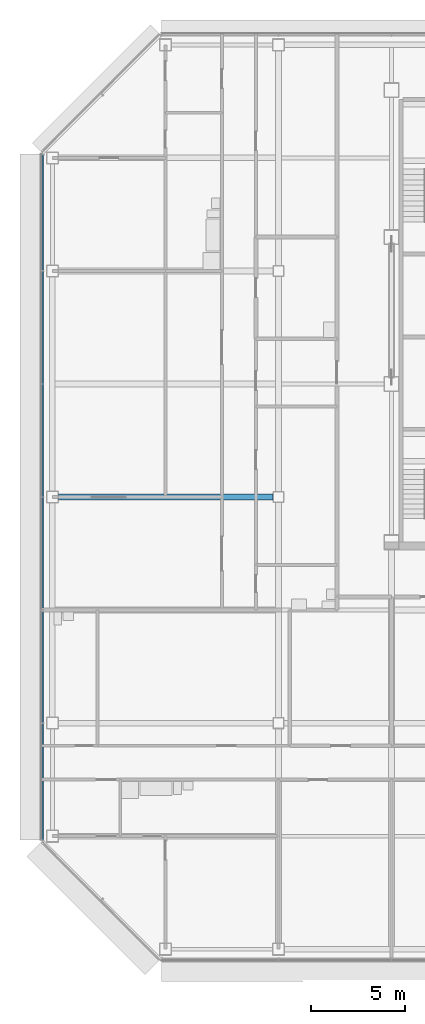
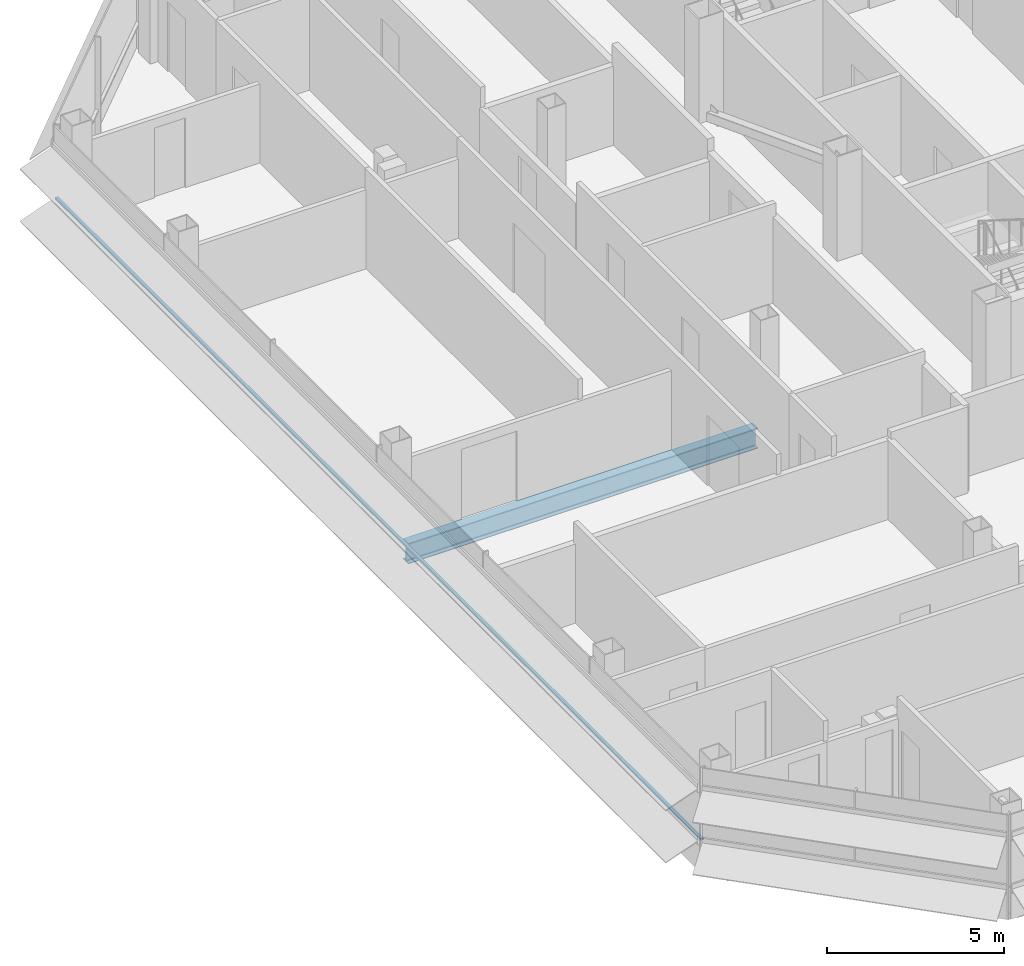
# One storey, part 5 of 26: 1 beam, 1 member, 1 element without a shape of its own.
"""IFC4 building model written with IfcOpenShell, lengths in metres."""

import ifcopenshell
import ifcopenshell.guid

model = None  # the IFC model being written
_history = None  # IfcOwnerHistory: only IFC2X3 demands one
_inside = {}  # id of a spatial element -> (the spatial element, [elements in it])
_under = {}  # id of a project, library or spatial element -> (it, [spatial elements below it])
_declared = {}  # id of a project -> (the project, [libraries it declares])
_typed = {}  # id of a type object -> (the type object, [elements of that type])
_made_of = {}  # id of a material, layer set ... -> (it, [elements and type objects made of it])


def new_model(schema):
    """Start an empty IFC model of exactly this schema.

    Asked for "IFC4X3", IfcOpenShell would pick the latest addendum, in which some entities
    have other attributes; the version numbers below select the first issue.
    IFC2X3 requires an IfcOwnerHistory on every rooted entity: one is made here for all.
    """
    global model, _history
    if schema == "IFC4X3":
        model = ifcopenshell.file(schema_version=(4, 3, 0, 0))
    else:
        model = ifcopenshell.file(schema=schema)
    _inside.clear()
    _under.clear()
    _declared.clear()
    _typed.clear()
    _made_of.clear()
    _history = None
    if model.schema == "IFC2X3":
        org = make("IfcOrganization", Name="unknown")
        user = make(
            "IfcPersonAndOrganization",
            ThePerson=make("IfcPerson", FamilyName="unknown"),
            TheOrganization=org,
        )
        app = make(
            "IfcApplication",
            ApplicationDeveloper=org,
            Version="unknown",
            ApplicationFullName="unknown",
            ApplicationIdentifier="unknown",
        )
        _history = make(
            "IfcOwnerHistory",
            OwningUser=user,
            OwningApplication=app,
            ChangeAction="ADDED",
            CreationDate=0,
        )
    return model


def make(cls, **values):
    """One entity of the class cls with the attributes given. An attribute that is None is left unset."""
    return model.create_entity(
        cls, **{name: value for name, value in values.items() if value is not None}
    )


def rooted(cls, **values):
    """An entity with a GlobalId (a new one), such as an element, a storey or a relation."""
    return make(cls, GlobalId=ifcopenshell.guid.new(), OwnerHistory=_history, **values)


def si_unit(unit_type, name, prefix=None):
    """IfcSIUnit, for example si_unit("LENGTHUNIT", "METRE", prefix="MILLI")."""
    return make("IfcSIUnit", UnitType=unit_type, Prefix=prefix, Name=name)


def assignment(units):
    """IfcUnitAssignment: the units of a project."""
    return None if units is None else make("IfcUnitAssignment", Units=units)


def point(xyz):
    """IfcCartesianPoint."""
    return None if xyz is None else make("IfcCartesianPoint", Coordinates=xyz)


def direction(xyz):
    """IfcDirection."""
    return None if xyz is None else make("IfcDirection", DirectionRatios=xyz)


def frame(location, z_axis=None, x_axis=None):
    """IfcAxis2Placement3D, a coordinate frame: its origin and axes. An axis left out is left unset."""
    return make(
        "IfcAxis2Placement3D",
        Location=point(location),
        Axis=direction(z_axis),
        RefDirection=direction(x_axis),
    )


def frame_2d(location, x_axis=None):
    """IfcAxis2Placement2D, a coordinate frame in the plane: its origin and x axis."""
    return make(
        "IfcAxis2Placement2D", Location=point(location), RefDirection=direction(x_axis)
    )


def origin():
    """The frame at (0, 0, 0) with its axes left unset."""
    return frame((0.0, 0.0, 0.0))


def origin_2d():
    """The frame at (0, 0) in the plane with its x axis left unset."""
    return frame_2d((0.0, 0.0))


def place(relative_to, where):
    """IfcLocalPlacement: puts the frame where relative to a parent placement (None: the world)."""
    return make(
        "IfcLocalPlacement", PlacementRelTo=relative_to, RelativePlacement=where
    )


def context(
    kind, dimensions, precision=None, world=None, true_north=None, identifier=None
):
    """IfcGeometricRepresentationContext, for example the 3D "Model" context."""
    return make(
        "IfcGeometricRepresentationContext",
        ContextIdentifier=identifier,
        ContextType=kind,
        CoordinateSpaceDimension=dimensions,
        Precision=precision,
        WorldCoordinateSystem=world,
        TrueNorth=true_north,
    )


def subcontext(parent, identifier, kind, view, scale=None):
    """IfcGeometricRepresentationSubContext, for example "Body" below "Model"."""
    return make(
        "IfcGeometricRepresentationSubContext",
        ContextIdentifier=identifier,
        ContextType=kind,
        ParentContext=parent,
        TargetScale=scale,
        TargetView=view,
    )


def project(units=None, contexts=None):
    """IfcProject with its units and contexts."""
    return rooted(
        "IfcProject",
        Name="project",
        RepresentationContexts=contexts,
        UnitsInContext=assignment(units),
    )


def spatial(cls, under=None, at=None, **own):
    """A site, building, storey or space (cls), placed at a placement, below another one or the project."""
    s = rooted(cls, ObjectPlacement=at, **own)
    if under is not None:
        _under.setdefault(under.id(), (under, []))[1].append(s)
    return s


def profile(cls, at=None, kind="AREA", **sizes):
    """A parametric profile (cls). Its sizes go by their IFC names, for example OverallWidth=200.0."""
    return make(cls, ProfileType=kind, Position=at, **sizes)


def rectangle(**sizes):
    """IfcRectangleProfileDef."""
    return profile("IfcRectangleProfileDef", **sizes)


def i_section(**sizes):
    """IfcIShapeProfileDef."""
    return profile("IfcIShapeProfileDef", **sizes)


def extrude(swept, where, along, depth):
    """IfcExtrudedAreaSolid: the profile swept, set in the frame where, extruded along a direction by depth."""
    return make(
        "IfcExtrudedAreaSolid",
        SweptArea=swept,
        Position=where,
        ExtrudedDirection=direction(along),
        Depth=depth,
    )


def shape(context_of_items, identifier, shape_type, items):
    """IfcShapeRepresentation: the items that make up one representation, for example the "Body"."""
    return make(
        "IfcShapeRepresentation",
        ContextOfItems=context_of_items,
        RepresentationIdentifier=identifier,
        RepresentationType=shape_type,
        Items=items,
    )


def material(Name=None, Category=None):
    """IfcMaterial."""
    return make("IfcMaterial", Name=Name, Category=Category)


def material_profile(
    of_material, cross_section, Name=None, Category=None, Priority=None
):
    """IfcMaterialProfile: a cross section and its material."""
    return make(
        "IfcMaterialProfile",
        Name=Name,
        Material=of_material,
        Profile=cross_section,
        Priority=Priority,
        Category=Category,
    )


def profile_set(profiles, Name=None, composite=None):
    """IfcMaterialProfileSet."""
    return make(
        "IfcMaterialProfileSet",
        Name=Name,
        MaterialProfiles=profiles,
        CompositeProfile=composite,
    )


def made_of(thing, what):
    """Note that an element or type object is made of a material, layer set ...; save() writes the relation."""
    if what is not None:
        _made_of.setdefault(what.id(), (what, []))[1].append(thing)
    return thing


def type_object(cls, material=None, **own):
    """A type object (cls), such as IfcWallType, which elements share."""
    return made_of(rooted(cls, **own), material)


def element(
    cls,
    number,
    at=None,
    inside=None,
    cuts=None,
    type_object=None,
    material=None,
    context=None,
    identifier="Body",
    shape_type=None,
    held_by="IfcProductDefinitionShape",
    body=None,
    shapes=None,
    **own,
):
    """One element of the class cls, such as IfcWall. Its Tag is "e" and its number.

    at: its placement. inside: the storey or other place that contains it. cuts: it is an
    opening in that element (IfcRelVoidsElement). A single representation is given by context,
    identifier, shape_type and body (its items); several are given by shapes. held_by: the class
    of the entity that holds the representations. save() writes the other relations.
    """
    e = rooted(cls, Tag="e%d" % number, ObjectPlacement=at, **own)
    if body is not None:
        shapes = [shape(context, identifier, shape_type, body)]
    if shapes is not None:
        e.Representation = make(held_by, Representations=shapes)
    if inside is not None:
        _inside.setdefault(inside.id(), (inside, []))[1].append(e)
    if cuts is not None:
        rooted(
            "IfcRelVoidsElement", RelatingBuildingElement=cuts, RelatedOpeningElement=e
        )
    if type_object is not None:
        _typed.setdefault(type_object.id(), (type_object, []))[1].append(e)
    return made_of(e, material)


def aggregate(whole, parts):
    """IfcRelAggregates: a whole, such as a stair, and the parts it consists of."""
    return rooted("IfcRelAggregates", RelatingObject=whole, RelatedObjects=parts)


def save(model, path):
    """Write the relations noted so far, then the file.

    IfcRelAggregates (storeys below a building ...), IfcRelContainedInSpatialStructure (elements
    in a storey), IfcRelDefinesByType, IfcRelAssociatesMaterial and IfcRelDeclares: one each for
    every whole, place, type object, material and project.
    """
    for whole, parts in _under.values():
        aggregate(whole, parts)
    for where, things in _inside.values():
        rooted(
            "IfcRelContainedInSpatialStructure",
            RelatedElements=things,
            RelatingStructure=where,
        )
    for kind, things in _typed.values():
        rooted("IfcRelDefinesByType", RelatedObjects=things, RelatingType=kind)
    for what, things in _made_of.values():
        rooted("IfcRelAssociatesMaterial", RelatedObjects=things, RelatingMaterial=what)
    for by, libraries in _declared.values():
        rooted("IfcRelDeclares", RelatingContext=by, RelatedDefinitions=libraries)
    model.write(path)


model = new_model("IFC4")

# Units and contexts
model_context = context("Model", 3, precision=1e-05, world=origin(), true_north=direction((0.0, 1.0)))
body_context = subcontext(model_context, "Body", "Model", "MODEL_VIEW")
ifc_project = project(units=[si_unit("LENGTHUNIT", "METRE"), si_unit("AREAUNIT", "SQUARE_METRE"), si_unit("VOLUMEUNIT", "CUBIC_METRE"), si_unit("PLANEANGLEUNIT", "RADIAN"), si_unit("MASSUNIT", "GRAM", prefix="KILO")], contexts=[model_context])

# Site, building, storey
site_placement = place(None, origin())
site = spatial("IfcSite", under=ifc_project, at=site_placement, CompositionType="ELEMENT")
building_placement = place(site_placement, origin())
building = spatial("IfcBuilding", under=site, at=building_placement, Name="Sorahane Residences", CompositionType="ELEMENT")
storey_placement = place(building_placement, frame((0.0, 0.0, 243.199951171875)))
storey = spatial("IfcBuildingStorey", under=building, at=storey_placement, Name="L57", CompositionType="ELEMENT", Elevation=243.199951171875)

# Curtain wall, member
ifc_material_1 = material(Name="Dark low-e glass and black anodised aluminium", Category="aluminium")
curtain_wall_type = type_object("IfcCurtainWallType", Name="Curtain wall CW-1 Typical unitised wall", PredefinedType="NOTDEFINED", material=ifc_material_1)
curtain_wall_placement = place(storey_placement, origin())
curtain_wall = element("IfcCurtainWall", 1, at=curtain_wall_placement, inside=storey, type_object=curtain_wall_type, Name="CW-1 curtain wall L57 W1", PredefinedType="NOTDEFINED")
ifc_material_2 = material(Name="Black anodised aluminium", Category="aluminium")
ifc_material_profile_1 = material_profile(ifc_material_2, rectangle(XDim=0.10009765625, YDim=0.06005859375, at=origin_2d()), Name="Curtain wall transom CW-1 black anodised aluminium 60x100")
ifc_profile_set_1 = profile_set([ifc_material_profile_1], Name="Black anodised aluminium")
member_type = type_object("IfcMemberType", Name="Curtain wall transom CW-1 black anodised aluminium 60x100", PredefinedType="USERDEFINED", material=ifc_profile_set_1)
member_placement = place(storey_placement, frame((-12.530029296875, 42.198486328125, 0.900146484375), z_axis=(0.0, -1.0, 0.0), x_axis=(1.0, 0.0, 0.0)))
member = element("IfcMember", 2, at=member_placement, type_object=member_type, Name="CW-1 transom L57 W1", ObjectType="TRANSOM", PredefinedType="USERDEFINED", context=body_context, shape_type="SweptSolid", body=[
    extrude(rectangle(XDim=0.10009765625, YDim=0.06005859375, at=origin_2d()), origin(), (0.0, 0.0, 1.0), 36.39697265625),
])
aggregate(curtain_wall, [member])

# Beam
ifc_material_3 = material(Name="Steel Q355B", Category="steel")
ifc_material_profile_2 = material_profile(ifc_material_3, i_section(OverallWidth=0.300048828125, OverallDepth=0.699951171875, WebThickness=0.012939453125, FlangeThickness=0.02392578125, FilletRadius=0.028076171875, at=origin_2d()), Name="HN 700x300x13x24")
ifc_profile_set_2 = profile_set([ifc_material_profile_2], Name="Steel Q355B")
beam_type = type_object("IfcBeamType", Name="Steel floor beam HN 700x300x13x24 Q355B", PredefinedType="BEAM", material=ifc_profile_set_2)
beam_placement = place(storey_placement, frame((-11.675048828125, 24.0, -0.530029296875), z_axis=(1.0, 0.0, 0.0), x_axis=(0.0, 1.0, 0.0)))
element("IfcBeam", 3, at=beam_placement, inside=storey, type_object=beam_type, Name="Beam L57 011", PredefinedType="BEAM", context=body_context, shape_type="SweptSolid", body=[
    extrude(i_section(OverallWidth=0.300048828125, OverallDepth=0.699951171875, WebThickness=0.012939453125, FlangeThickness=0.02392578125, FilletRadius=0.028076171875, at=origin_2d()), origin(), (0.0, 0.0, 1.0), 11.375),
])

save(model, "model.ifc")
